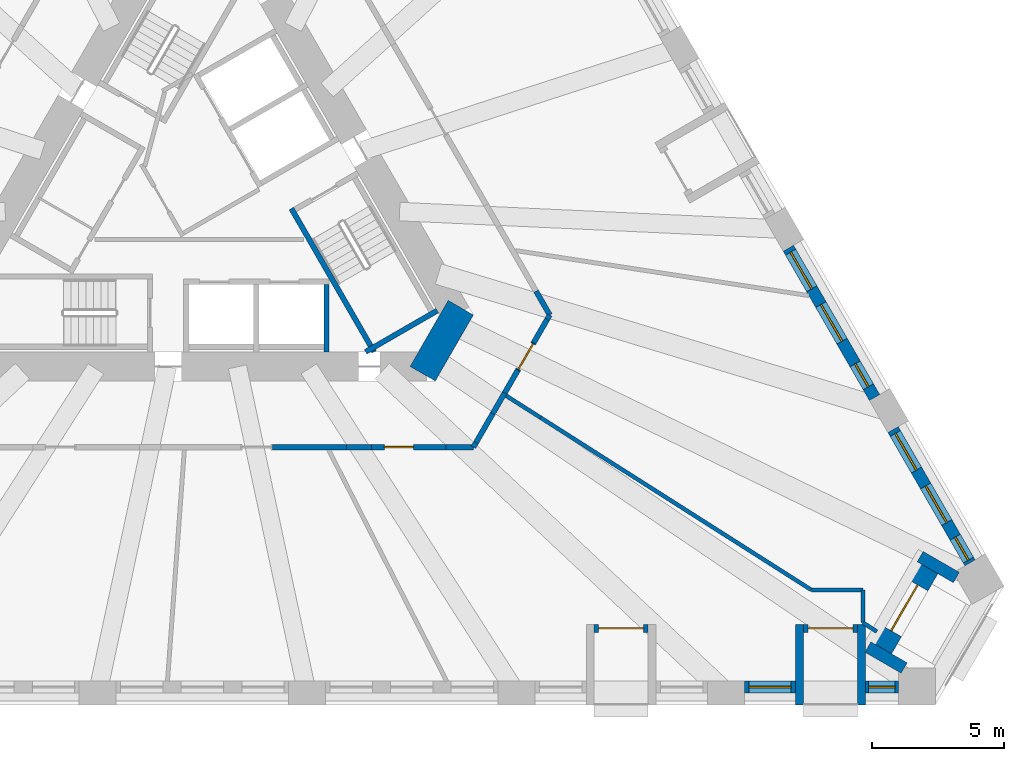
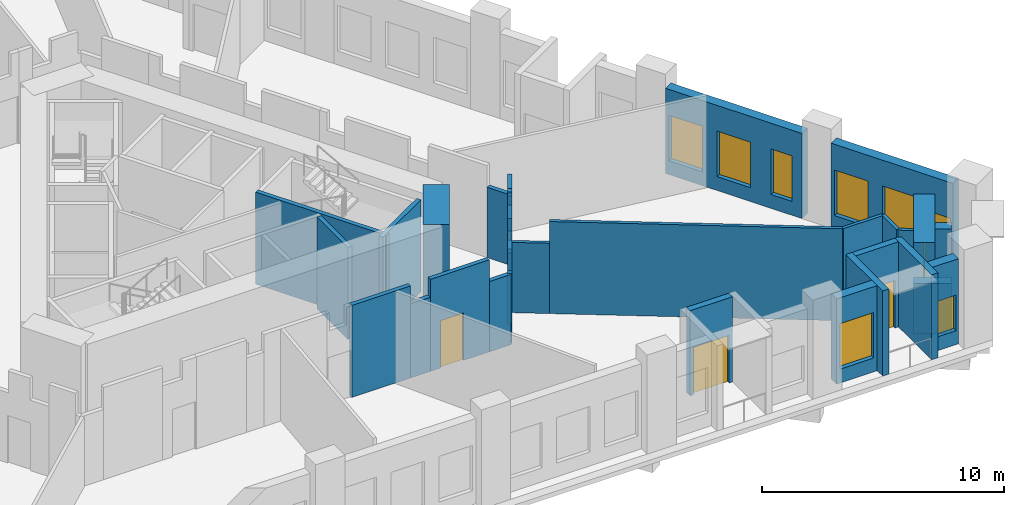
# One storey, part 5 of 12: 32 walls, 8 windows, 5 doors, 13 openings.
"""IFC4 building model written with IfcOpenShell, lengths in metres."""

from ifc_helpers import new_model, si_unit, direction, frame, frame_2d, origin, place, context, subcontext, project, spatial, polyline, rectangle, outline, extrude, material, layer, layer_set, type_object, element, fill, save


model = new_model("IFC4")

# Units and contexts
model_context = context("Model", 3, precision=1e-05, world=origin(), true_north=direction((0.0, 1.0)))
body_context = subcontext(model_context, "Body", "Model", "MODEL_VIEW")
ifc_project = project(units=[si_unit("LENGTHUNIT", "METRE"), si_unit("AREAUNIT", "SQUARE_METRE"), si_unit("VOLUMEUNIT", "CUBIC_METRE"), si_unit("PLANEANGLEUNIT", "RADIAN"), si_unit("MASSUNIT", "GRAM", prefix="KILO")], contexts=[model_context])

# Site, building, storey
site_placement = place(None, origin())
site = spatial("IfcSite", under=ifc_project, at=site_placement, CompositionType="ELEMENT")
building_placement = place(site_placement, origin())
building = spatial("IfcBuilding", under=site, at=building_placement, Name="Tramontana Tower", CompositionType="ELEMENT")
storey_placement = place(building_placement, frame((0.0, 0.0, 25.0)))
storey = spatial("IfcBuildingStorey", under=building, at=storey_placement, Name="L04", CompositionType="ELEMENT", Elevation=25.0)

# Walls
ifc_material_1 = material(Name="Concrete 70 MPa", Category="concrete")
ifc_layer_1 = layer(ifc_material_1, 1.10009765625)
ifc_layer_set_1 = layer_set([ifc_layer_1], Name="Core wall 1100 70 MPa")
wall_type_1 = type_object("IfcWallType", Name="Core wall 1100 70 MPa", PredefinedType="SHEAR", material=ifc_layer_set_1)
wall_1_placement = place(storey_placement, frame((8.328369140625, -6.47509765625, 0.0), z_axis=(0.0, 0.0, 1.0), x_axis=(0.499995765644, 0.866027848477, 0.0)))
element("IfcWall", 1, at=wall_1_placement, inside=storey, type_object=wall_type_1, Name="Core wall C4 L04", PredefinedType="SHEAR", context=body_context, shape_type="SweptSolid", body=[
    extrude(rectangle(XDim=2.88671875, YDim=1.10009765625, at=frame_2d((1.443359375, 0.0))), origin(), (0.0, 0.0, 1.0), 5.0),
])
ifc_material_2 = material(Name="Blockwork", Category="masonry")
ifc_layer_2 = layer(ifc_material_2, 0.199951171875)
ifc_layer_set_2 = layer_set([ifc_layer_2], Name="ENTRY WALL 200")
wall_type_2 = type_object("IfcWallType", Name="ENTRY WALL 200", PredefinedType="SOLIDWALL", material=ifc_layer_set_2)
wall_2_placement = place(storey_placement, frame((12.616943359375, -3.353515625, 0.0), z_axis=(0.0, 0.0, 1.0), x_axis=(0.500171514983, -0.865926356915, 0.0)))
element("IfcWall", 2, at=wall_2_placement, inside=storey, type_object=wall_type_2, Name="Wall ew0-10", PredefinedType="SOLIDWALL", context=body_context, shape_type="SweptSolid", body=[
    extrude(rectangle(XDim=1.035400390625, YDim=0.199951171875, at=frame_2d((0.517578125, 0.0))), origin(), (0.0, 0.0, 1.0), 3.550048828125),
])
wall_3_placement = place(storey_placement, frame((13.134765625, -4.25, 0.0), z_axis=(0.0, 0.0, 1.0), x_axis=(-0.499865263774, -0.866103179807, 0.0)))
element("IfcWall", 3, at=wall_3_placement, inside=storey, type_object=wall_type_2, Name="Wall ew1-0", PredefinedType="SOLIDWALL", context=body_context, shape_type="SweptSolid", body=[
    extrude(rectangle(XDim=0.197265625, YDim=0.199951171875, at=frame_2d((0.0986328125, 0.0))), origin(), (0.0, 0.0, 1.0), 3.550048828125),
])
wall_4_placement = place(storey_placement, frame((13.0361328125, -4.4208984375, 0.0), z_axis=(0.0, 0.0, 1.0), x_axis=(-0.50015786783, -0.865934239563, 0.0)))
element("IfcWall", 4, at=wall_4_placement, inside=storey, type_object=wall_type_2, Name="Wall ew1-1", PredefinedType="SOLIDWALL", context=body_context, shape_type="SweptSolid", body=[
    extrude(rectangle(XDim=1.019287109375, YDim=0.199951171875, at=frame_2d((0.509765625, 0.0))), origin(), (0.0, 0.0, 1.0), 4.64990234375),
])

# Wall, opening, door
wall_5_placement = place(storey_placement, frame((12.5263671875, -5.303466796875, 0.0), z_axis=(0.0, 0.0, 1.0), x_axis=(-0.499880961361, -0.866094119867, 0.0)))
wall_5 = element("IfcWall", 5, at=wall_5_placement, inside=storey, type_object=wall_type_2, Name="Wall ew1-2", PredefinedType="SOLIDWALL", context=body_context, shape_type="SweptSolid", body=[
    extrude(outline(polyline([(0.0, 0.0), (1.199951171875, 0.0), (1.199951171875, 3.550048828125), (0.24755859375, 3.550048828125), (0.24755859375, 4.64990234375), (0.0, 4.64990234375), (0.0, 0.0)])), frame((0.0, 0.10009765625, 0.0), z_axis=(0.0, -1.0, 0.0), x_axis=(1.0, 0.0, 0.0)), (0.0, 0.0, 1.0), 0.199951171875),
])
opening_1_placement = place(wall_5_placement, frame((0.050048828125, 0.0, 0.0)))
opening_1 = element("IfcOpeningElement", 6, at=opening_1_placement, cuts=wall_5, Name="Opening L04-06", PredefinedType="OPENING", context=body_context, shape_type="SweptSolid", body=[
    extrude(rectangle(XDim=1.10009765625, YDim=2.39990234375, at=frame_2d((0.550048828125, 1.199951171875))), frame((0.0, 0.10986328125, 0.0), z_axis=(0.0, -1.0, 0.0), x_axis=(1.0, 0.0, 0.0)), (0.0, 0.0, 1.0), 0.219970703125),
])
ifc_material_3 = material(Name="Painted timber", Category="wood")
door_type_1 = type_object("IfcDoorType", Name="DOOR ENTRY 1100", OperationType="SINGLE_SWING_LEFT", PredefinedType="DOOR", material=ifc_material_3)
door_1_placement = place(opening_1_placement, origin())
door_1 = element("IfcDoor", 7, at=door_1_placement, inside=storey, type_object=door_type_1, Name="Door L04-06", OperationType="SINGLE_SWING_RIGHT", OverallHeight=2.39990234375, OverallWidth=1.10009765625, PredefinedType="DOOR", context=body_context, shape_type="SweptSolid", body=[
    extrude(rectangle(XDim=1.10009765625, YDim=2.39990234375, at=frame_2d((0.550048828125, 1.199951171875))), frame((0.0, 0.02490234375, 0.0), z_axis=(0.0, -1.0, 0.0), x_axis=(1.0, 0.0, 0.0)), (0.0, 0.0, 1.0), 0.050048828125),
])
fill(opening_1, door_1)

# Walls
wall_6_placement = place(storey_placement, frame((11.926513671875, -6.3427734375, 0.0), z_axis=(0.0, 0.0, 1.0), x_axis=(-0.500035331196, -0.866005004348, 0.0)))
element("IfcWall", 8, at=wall_6_placement, inside=storey, type_object=wall_type_2, Name="Wall ew1-3", PredefinedType="SOLIDWALL", context=body_context, shape_type="SweptSolid", body=[
    extrude(rectangle(XDim=0.99072265625, YDim=0.199951171875, at=frame_2d((0.495361328125, 0.0))), origin(), (0.0, 0.0, 1.0), 4.64990234375),
])
wall_7_placement = place(storey_placement, frame((11.43115234375, -7.20068359375, 0.0), z_axis=(0.0, 0.0, 1.0), x_axis=(-0.500097243556, -0.865969252911, 0.0)))
element("IfcWall", 9, at=wall_7_placement, inside=storey, type_object=wall_type_2, Name="Wall ew1-4", PredefinedType="SOLIDWALL", context=body_context, shape_type="SweptSolid", body=[
    extrude(rectangle(XDim=0.902099609375, YDim=0.199951171875, at=frame_2d((0.451171875, 0.0))), origin(), (0.0, 0.0, 1.0), 3.550048828125),
])
wall_8_placement = place(storey_placement, frame((10.97998046875, -7.98193359375, 0.0), z_axis=(0.0, 0.0, 1.0), x_axis=(-0.499911523785, -0.866076479525, 0.0)))
element("IfcWall", 10, at=wall_8_placement, inside=storey, type_object=wall_type_2, Name="Wall ew1-5", PredefinedType="SOLIDWALL", context=body_context, shape_type="SweptSolid", body=[
    extrude(rectangle(XDim=1.266845703125, YDim=0.199951171875, at=frame_2d((0.63330078125, 0.0))), origin(), (0.0, 0.0, 1.0), 4.64990234375),
])
wall_9_placement = place(storey_placement, frame((10.3466796875, -9.0791015625, 0.0), z_axis=(0.0, 0.0, 1.0), x_axis=(-0.499865263774, -0.866103179807, 0.0)))
element("IfcWall", 11, at=wall_9_placement, inside=storey, type_object=wall_type_2, Name="Wall ew1-6", PredefinedType="SOLIDWALL", context=body_context, shape_type="SweptSolid", body=[
    extrude(rectangle(XDim=0.197265625, YDim=0.199951171875, at=frame_2d((0.0986328125, 0.0))), origin(), (0.0, 0.0, 1.0), 3.550048828125),
])
wall_10_placement = place(storey_placement, frame((10.248046875, -9.25, 0.0), z_axis=(0.0, 0.0, 1.0), x_axis=(-1.0, 0.0, 0.0)))
element("IfcWall", 12, at=wall_10_placement, inside=storey, type_object=wall_type_2, Name="Wall ew2-0", PredefinedType="SOLIDWALL", context=body_context, shape_type="SweptSolid", body=[
    extrude(rectangle(XDim=1.035400390625, YDim=0.199951171875, at=frame_2d((0.517578125, 0.0))), origin(), (0.0, 0.0, 1.0), 3.550048828125),
])

# Wall, opening, door
wall_11_placement = place(storey_placement, frame((9.212646484375, -9.25, 0.0), z_axis=(0.0, 0.0, 1.0), x_axis=(-1.0, 0.0, 0.0)))
wall_11 = element("IfcWall", 13, at=wall_11_placement, inside=storey, type_object=wall_type_2, Name="Wall ew2-1", PredefinedType="SOLIDWALL", context=body_context, shape_type="SweptSolid", body=[
    extrude(rectangle(XDim=2.815185546875, YDim=0.199951171875, at=frame_2d((1.40771484375, 0.0))), origin(), (0.0, 0.0, 1.0), 4.64990234375),
])
opening_2_placement = place(wall_11_placement, frame((1.2333984375, 0.0, 0.0)))
opening_2 = element("IfcOpeningElement", 14, at=opening_2_placement, cuts=wall_11, Name="Opening L04-05", PredefinedType="OPENING", context=body_context, shape_type="SweptSolid", body=[
    extrude(rectangle(XDim=1.10009765625, YDim=2.39990234375, at=frame_2d((0.550048828125, 1.199951171875))), frame((0.0, 0.10986328125, 0.0), z_axis=(0.0, -1.0, 0.0), x_axis=(1.0, 0.0, 0.0)), (0.0, 0.0, 1.0), 0.219970703125),
])
door_2_placement = place(opening_2_placement, origin())
door_2 = element("IfcDoor", 15, at=door_2_placement, inside=storey, type_object=door_type_1, Name="Door L04-05", OperationType="SINGLE_SWING_LEFT", OverallHeight=2.39990234375, OverallWidth=1.10009765625, PredefinedType="DOOR", context=body_context, shape_type="SweptSolid", body=[
    extrude(rectangle(XDim=1.10009765625, YDim=2.39990234375, at=frame_2d((0.550048828125, 1.199951171875))), frame((0.0, 0.02490234375, 0.0), z_axis=(0.0, -1.0, 0.0), x_axis=(1.0, 0.0, 0.0)), (0.0, 0.0, 1.0), 0.050048828125),
])
fill(opening_2, door_2)

# Walls
wall_12_placement = place(storey_placement, frame((6.3974609375, -9.25, 0.0), z_axis=(0.0, 0.0, 1.0), x_axis=(-1.0, 0.0, 0.0)))
element("IfcWall", 16, at=wall_12_placement, inside=storey, type_object=wall_type_2, Name="Wall ew2-2", PredefinedType="SOLIDWALL", context=body_context, shape_type="SweptSolid", body=[
    extrude(rectangle(XDim=0.949951171875, YDim=0.199951171875, at=frame_2d((0.47509765625, 0.0))), origin(), (0.0, 0.0, 1.0), 3.75),
])
wall_13_placement = place(storey_placement, frame((5.447509765625, -9.25, 0.0), z_axis=(0.0, 0.0, 1.0), x_axis=(-1.0, 0.0, 0.0)))
element("IfcWall", 17, at=wall_13_placement, inside=storey, type_object=wall_type_2, Name="Wall ew2-3", PredefinedType="SOLIDWALL", context=body_context, shape_type="SweptSolid", body=[
    extrude(rectangle(XDim=2.802490234375, YDim=0.199951171875, at=frame_2d((1.4013671875, 0.0))), origin(), (0.0, 0.0, 1.0), 4.64990234375),
])

# Wall, opening, window
ifc_material_4 = material(Name="Precast concrete 60 MPa", Category="concrete")
ifc_layer_3 = layer(ifc_material_4, 0.449951171875)
ifc_layer_set_3 = layer_set([ifc_layer_3], Name="Precast concrete 60 MPa, 450 mm")
wall_type_3 = type_object("IfcWallType", Name="EW1 Stone-faced precast wall 450", PredefinedType="SOLIDWALL", material=ifc_layer_set_3)
wall_14_placement = place(storey_placement, frame((20.494873046875, -18.324951171875, 0.0), z_axis=(0.0, 0.0, 1.0), x_axis=(1.0, 0.0, 0.0)))
wall_14 = element("IfcWall", 18, at=wall_14_placement, inside=storey, type_object=wall_type_3, Name="External wall L04 face 1 bay 7", PredefinedType="SOLIDWALL", context=body_context, shape_type="SweptSolid", body=[
    extrude(rectangle(XDim=1.939208984375, YDim=0.449951171875, at=frame_2d((0.9697265625, 0.0))), origin(), (0.0, 0.0, 1.0), 4.300048828125),
])
opening_3_placement = place(wall_14_placement, frame((0.169677734375, 0.0, 0.699951171875)))
opening_3 = element("IfcOpeningElement", 19, at=opening_3_placement, cuts=wall_14, Name="Opening M1", PredefinedType="OPENING", context=body_context, shape_type="SweptSolid", body=[
    extrude(rectangle(XDim=1.60009765625, YDim=2.300048828125, at=frame_2d((0.800048828125, 1.14990234375))), frame((0.0, 0.23486328125, 0.0), z_axis=(0.0, -1.0, 0.0), x_axis=(1.0, 0.0, 0.0)), (0.0, 0.0, 1.0), 0.469970703125),
])
ifc_material_5 = material(Name="Aluminum frame, double glazing unit", Category="aluminium")
window_type_1 = type_object("IfcWindowType", Name="M1 Window 1.6 x 2.3", PartitioningType="SINGLE_PANEL", PredefinedType="WINDOW", material=ifc_material_5)
window_1_placement = place(opening_3_placement, origin())
window_1 = element("IfcWindow", 20, at=window_1_placement, inside=storey, type_object=window_type_1, Name="Window M1 L04 face 1 module 19", OverallHeight=2.300048828125, OverallWidth=1.60009765625, PartitioningType="SINGLE_PANEL", PredefinedType="WINDOW", context=body_context, shape_type="SweptSolid", body=[
    extrude(rectangle(XDim=1.60009765625, YDim=2.300048828125, at=frame_2d((0.800048828125, 1.14990234375))), frame((0.0, 0.030029296875, 0.0), z_axis=(0.0, -1.0, 0.0), x_axis=(1.0, 0.0, 0.0)), (0.0, 0.0, 1.0), 0.06005859375),
])
fill(opening_3, window_1)

wall_15_placement = place(storey_placement, frame((25.073486328125, -18.324951171875, 0.0), z_axis=(0.0, 0.0, 1.0), x_axis=(1.0, 0.0, 0.0)))
wall_15 = element("IfcWall", 21, at=wall_15_placement, inside=storey, type_object=wall_type_3, Name="External wall L04 face 1 bay 7", PredefinedType="SOLIDWALL", context=body_context, shape_type="SweptSolid", body=[
    extrude(rectangle(XDim=1.2392578125, YDim=0.449951171875, at=frame_2d((0.61962890625, 0.0))), origin(), (0.0, 0.0, 1.0), 4.300048828125),
])
opening_4_placement = place(wall_15_placement, frame((0.11962890625, 0.0, 0.699951171875)))
opening_4 = element("IfcOpeningElement", 22, at=opening_4_placement, cuts=wall_15, Name="Opening N1L", PredefinedType="OPENING", context=body_context, shape_type="SweptSolid", body=[
    extrude(rectangle(XDim=1.0, YDim=1.800048828125, at=frame_2d((0.5, 0.89990234375))), frame((0.0, 0.23486328125, 0.0), z_axis=(0.0, -1.0, 0.0), x_axis=(1.0, 0.0, 0.0)), (0.0, 0.0, 1.0), 0.469970703125),
])
ifc_material_6 = material(Name="Aluminum frame, double glazing unit", Category="aluminium")
window_type_2 = type_object("IfcWindowType", Name="N1L Window 1 x 1.8", PartitioningType="SINGLE_PANEL", PredefinedType="WINDOW", material=ifc_material_6)
window_2_placement = place(opening_4_placement, origin())
window_2 = element("IfcWindow", 23, at=window_2_placement, inside=storey, type_object=window_type_2, Name="Window N1L L04 face 1 module 21", OverallHeight=1.800048828125, OverallWidth=1.0, PartitioningType="SINGLE_PANEL", PredefinedType="WINDOW", context=body_context, shape_type="SweptSolid", body=[
    extrude(rectangle(XDim=1.0, YDim=1.800048828125, at=frame_2d((0.5, 0.89990234375))), frame((0.0, 0.030029296875, 0.0), z_axis=(0.0, -1.0, 0.0), x_axis=(1.0, 0.0, 0.0)), (0.0, 0.0, 1.0), 0.06005859375),
])
fill(opening_4, window_2)

# Wall, openings, windows
wall_16_placement = place(storey_placement, frame((29.0263671875, -13.625, 0.0), z_axis=(0.0, 0.0, 1.0), x_axis=(-0.500007002644, 0.866021360769, 0.0)))
wall_16 = element("IfcWall", 24, at=wall_16_placement, inside=storey, type_object=wall_type_3, Name="External wall L04 face 2 bay 1", PredefinedType="SOLIDWALL", context=body_context, shape_type="SweptSolid", body=[
    extrude(rectangle(XDim=5.81787109375, YDim=0.449951171875, at=frame_2d((2.908935546875, 0.0))), origin(), (0.0, 0.0, 1.0), 4.300048828125),
])
opening_5_placement = place(wall_16_placement, frame((0.11962890625, 0.0, 0.699951171875)))
opening_5 = element("IfcOpeningElement", 25, at=opening_5_placement, cuts=wall_16, Name="Opening N1L", PredefinedType="OPENING", context=body_context, shape_type="SweptSolid", body=[
    extrude(rectangle(XDim=1.0, YDim=1.800048828125, at=frame_2d((0.5, 0.89990234375))), frame((0.0, 0.23486328125, 0.0), z_axis=(0.0, -1.0, 0.0), x_axis=(1.0, 0.0, 0.0)), (0.0, 0.0, 1.0), 0.469970703125),
])
opening_6_placement = place(wall_16_placement, frame((1.759033203125, 0.0, 0.699951171875)))
opening_6 = element("IfcOpeningElement", 26, at=opening_6_placement, cuts=wall_16, Name="Opening M1", PredefinedType="OPENING", context=body_context, shape_type="SweptSolid", body=[
    extrude(rectangle(XDim=1.60009765625, YDim=2.300048828125, at=frame_2d((0.800048828125, 1.14990234375))), frame((0.0, 0.23486328125, 0.0), z_axis=(0.0, -1.0, 0.0), x_axis=(1.0, 0.0, 0.0)), (0.0, 0.0, 1.0), 0.469970703125),
])
opening_7_placement = place(wall_16_placement, frame((4.04833984375, 0.0, 0.699951171875)))
opening_7 = element("IfcOpeningElement", 27, at=opening_7_placement, cuts=wall_16, Name="Opening M1", PredefinedType="OPENING", context=body_context, shape_type="SweptSolid", body=[
    extrude(rectangle(XDim=1.60009765625, YDim=2.300048828125, at=frame_2d((0.800048828125, 1.14990234375))), frame((0.0, 0.23486328125, 0.0), z_axis=(0.0, -1.0, 0.0), x_axis=(1.0, 0.0, 0.0)), (0.0, 0.0, 1.0), 0.469970703125),
])
window_3_placement = place(opening_6_placement, origin())
window_3 = element("IfcWindow", 28, at=window_3_placement, inside=storey, type_object=window_type_1, Name="Window M1 L04 face 2 module 2", OverallHeight=2.300048828125, OverallWidth=1.60009765625, PartitioningType="SINGLE_PANEL", PredefinedType="WINDOW", context=body_context, shape_type="SweptSolid", body=[
    extrude(rectangle(XDim=1.60009765625, YDim=2.300048828125, at=frame_2d((0.800048828125, 1.14990234375))), frame((0.0, 0.030029296875, 0.0), z_axis=(0.0, -1.0, 0.0), x_axis=(1.0, 0.0, 0.0)), (0.0, 0.0, 1.0), 0.06005859375),
])
fill(opening_6, window_3)
window_4_placement = place(opening_7_placement, origin())
window_4 = element("IfcWindow", 29, at=window_4_placement, inside=storey, type_object=window_type_1, Name="Window M1 L04 face 2 module 3", OverallHeight=2.300048828125, OverallWidth=1.60009765625, PartitioningType="SINGLE_PANEL", PredefinedType="WINDOW", context=body_context, shape_type="SweptSolid", body=[
    extrude(rectangle(XDim=1.60009765625, YDim=2.300048828125, at=frame_2d((0.800048828125, 1.14990234375))), frame((0.0, 0.030029296875, 0.0), z_axis=(0.0, -1.0, 0.0), x_axis=(1.0, 0.0, 0.0)), (0.0, 0.0, 1.0), 0.06005859375),
])
fill(opening_7, window_4)
window_5_placement = place(opening_5_placement, origin())
window_5 = element("IfcWindow", 30, at=window_5_placement, inside=storey, type_object=window_type_2, Name="Window N1L L04 face 2 module 1", OverallHeight=1.800048828125, OverallWidth=1.0, PartitioningType="SINGLE_PANEL", PredefinedType="WINDOW", context=body_context, shape_type="SweptSolid", body=[
    extrude(rectangle(XDim=1.0, YDim=1.800048828125, at=frame_2d((0.5, 0.89990234375))), frame((0.0, 0.030029296875, 0.0), z_axis=(0.0, -1.0, 0.0), x_axis=(1.0, 0.0, 0.0)), (0.0, 0.0, 1.0), 0.06005859375),
])
fill(opening_5, window_5)

wall_17_placement = place(storey_placement, frame((25.417236328125, -7.3740234375, 0.0), z_axis=(0.0, 0.0, 1.0), x_axis=(-0.499990498062, 0.866030889661, 0.0)))
wall_17 = element("IfcWall", 31, at=wall_17_placement, inside=storey, type_object=wall_type_3, Name="External wall L04 face 2 bay 2", PredefinedType="SOLIDWALL", context=body_context, shape_type="SweptSolid", body=[
    extrude(rectangle(XDim=6.517822265625, YDim=0.449951171875, at=frame_2d((3.2587890625, 0.0))), origin(), (0.0, 0.0, 1.0), 4.300048828125),
])
opening_8_placement = place(wall_17_placement, frame((0.4697265625, 0.0, 0.699951171875)))
opening_8 = element("IfcOpeningElement", 32, at=opening_8_placement, cuts=wall_17, Name="Opening N1", PredefinedType="OPENING", context=body_context, shape_type="SweptSolid", body=[
    extrude(rectangle(XDim=1.0, YDim=2.300048828125, at=frame_2d((0.5, 1.14990234375))), frame((0.0, 0.23486328125, 0.0), z_axis=(0.0, -1.0, 0.0), x_axis=(1.0, 0.0, 0.0)), (0.0, 0.0, 1.0), 0.469970703125),
])
opening_9_placement = place(wall_17_placement, frame((2.458984375, 0.0, 0.699951171875)))
opening_9 = element("IfcOpeningElement", 33, at=opening_9_placement, cuts=wall_17, Name="Opening M1", PredefinedType="OPENING", context=body_context, shape_type="SweptSolid", body=[
    extrude(rectangle(XDim=1.60009765625, YDim=2.300048828125, at=frame_2d((0.800048828125, 1.14990234375))), frame((0.0, 0.23486328125, 0.0), z_axis=(0.0, -1.0, 0.0), x_axis=(1.0, 0.0, 0.0)), (0.0, 0.0, 1.0), 0.469970703125),
])
opening_10_placement = place(wall_17_placement, frame((4.748291015625, 0.0, 0.699951171875)))
opening_10 = element("IfcOpeningElement", 34, at=opening_10_placement, cuts=wall_17, Name="Opening M1", PredefinedType="OPENING", context=body_context, shape_type="SweptSolid", body=[
    extrude(rectangle(XDim=1.60009765625, YDim=2.300048828125, at=frame_2d((0.800048828125, 1.14990234375))), frame((0.0, 0.23486328125, 0.0), z_axis=(0.0, -1.0, 0.0), x_axis=(1.0, 0.0, 0.0)), (0.0, 0.0, 1.0), 0.469970703125),
])
window_6_placement = place(opening_9_placement, origin())
window_6 = element("IfcWindow", 35, at=window_6_placement, inside=storey, type_object=window_type_1, Name="Window M1 L04 face 2 module 5", OverallHeight=2.300048828125, OverallWidth=1.60009765625, PartitioningType="SINGLE_PANEL", PredefinedType="WINDOW", context=body_context, shape_type="SweptSolid", body=[
    extrude(rectangle(XDim=1.60009765625, YDim=2.300048828125, at=frame_2d((0.800048828125, 1.14990234375))), frame((0.0, 0.030029296875, 0.0), z_axis=(0.0, -1.0, 0.0), x_axis=(1.0, 0.0, 0.0)), (0.0, 0.0, 1.0), 0.06005859375),
])
fill(opening_9, window_6)
window_7_placement = place(opening_10_placement, origin())
window_7 = element("IfcWindow", 36, at=window_7_placement, inside=storey, type_object=window_type_1, Name="Window M1 L04 face 2 module 6", OverallHeight=2.300048828125, OverallWidth=1.60009765625, PartitioningType="SINGLE_PANEL", PredefinedType="WINDOW", context=body_context, shape_type="SweptSolid", body=[
    extrude(rectangle(XDim=1.60009765625, YDim=2.300048828125, at=frame_2d((0.800048828125, 1.14990234375))), frame((0.0, 0.030029296875, 0.0), z_axis=(0.0, -1.0, 0.0), x_axis=(1.0, 0.0, 0.0)), (0.0, 0.0, 1.0), 0.06005859375),
])
fill(opening_10, window_7)
ifc_material_7 = material(Name="Aluminum frame, double glazing unit", Category="aluminium")
window_type_3 = type_object("IfcWindowType", Name="N1 Window 1 x 2.3", PartitioningType="SINGLE_PANEL", PredefinedType="WINDOW", material=ifc_material_7)
window_8_placement = place(opening_8_placement, origin())
window_8 = element("IfcWindow", 37, at=window_8_placement, inside=storey, type_object=window_type_3, Name="Window N1 L04 face 2 module 4", OverallHeight=2.300048828125, OverallWidth=1.0, PartitioningType="SINGLE_PANEL", PredefinedType="WINDOW", context=body_context, shape_type="SweptSolid", body=[
    extrude(rectangle(XDim=1.0, YDim=2.300048828125, at=frame_2d((0.5, 1.14990234375))), frame((0.0, 0.030029296875, 0.0), z_axis=(0.0, -1.0, 0.0), x_axis=(1.0, 0.0, 0.0)), (0.0, 0.0, 1.0), 0.06005859375),
])
fill(opening_8, window_8)

# Walls
wall_18_placement = place(storey_placement, frame((28.509033203125, -14.17919921875, 0.0), z_axis=(0.0, 0.0, 1.0), x_axis=(-0.866046570609, 0.499963336192, 0.0)))
element("IfcWall", 38, at=wall_18_placement, inside=storey, type_object=wall_type_3, Name="Corner loggia side wall L04 K02l", PredefinedType="SOLIDWALL", context=body_context, shape_type="SweptSolid", body=[
    extrude(rectangle(XDim=1.5791015625, YDim=0.449951171875, at=frame_2d((0.78955078125, 0.0))), origin(), (0.0, 0.0, 1.0), 2.550048828125),
])
wall_19_placement = place(storey_placement, frame((26.5341796875, -17.60009765625, 0.0), z_axis=(0.0, 0.0, 1.0), x_axis=(-0.86597962928, 0.500079275387, 0.0)))
element("IfcWall", 39, at=wall_19_placement, inside=storey, type_object=wall_type_3, Name="Corner loggia side wall L04 K02r", PredefinedType="SOLIDWALL", context=body_context, shape_type="SweptSolid", body=[
    extrude(rectangle(XDim=1.579345703125, YDim=0.449951171875, at=frame_2d((0.78955078125, 0.0))), origin(), (0.0, 0.0, 1.0), 2.550048828125),
])

# Wall, opening, door
ifc_material_8 = material(Name="Precast concrete 60 MPa", Category="concrete")
ifc_layer_4 = layer(ifc_material_8, 0.89990234375)
ifc_layer_set_4 = layer_set([ifc_layer_4], Name="EW2 Stone-faced corner loggia wall 900")
wall_type_4 = type_object("IfcWallType", Name="EW2 Stone-faced corner loggia wall 900", PredefinedType="SOLIDWALL", material=ifc_layer_set_4)
wall_20_placement = place(storey_placement, frame((27.418701171875, -13.8095703125, 0.0), z_axis=(0.0, 0.0, 1.0), x_axis=(-0.500010275428, -0.866019471182, 0.0)))
wall_20 = element("IfcWall", 40, at=wall_20_placement, inside=storey, type_object=wall_type_4, Name="Corner loggia wall L04 K02", PredefinedType="SOLIDWALL", context=body_context, shape_type="SweptSolid", body=[
    extrude(rectangle(XDim=3.5, YDim=0.89990234375, at=frame_2d((1.75, 0.0))), origin(), (0.0, 0.0, 1.0), 4.300048828125),
])
opening_11_placement = place(wall_20_placement, frame((0.75, 0.0, 0.0)))
opening_11 = element("IfcOpeningElement", 41, at=opening_11_placement, cuts=wall_20, Name="Opening BD-02C", PredefinedType="OPENING", context=body_context, shape_type="SweptSolid", body=[
    extrude(rectangle(XDim=2.0, YDim=2.39990234375, at=frame_2d((1.0, 1.199951171875))), frame((0.0, 0.4599609375, 0.0), z_axis=(0.0, -1.0, 0.0), x_axis=(1.0, 0.0, 0.0)), (0.0, 0.0, 1.0), 0.919921875),
])
ifc_material_9 = material(Name="Aluminum frame, double glazing unit", Category="aluminium")
door_type_2 = type_object("IfcDoorType", Name="BC1 Sliding door 2 x 2.4", OperationType="SLIDING_TO_LEFT", PredefinedType="DOOR", material=ifc_material_9)
door_3_placement = place(opening_11_placement, origin())
door_3 = element("IfcDoor", 42, at=door_3_placement, inside=storey, type_object=door_type_2, Name="Corner loggia door L04 K02", OperationType="SLIDING_TO_LEFT", OverallHeight=2.39990234375, OverallWidth=2.0, PredefinedType="DOOR", context=body_context, shape_type="SweptSolid", body=[
    extrude(rectangle(XDim=2.0, YDim=2.39990234375, at=frame_2d((1.0, 1.199951171875))), frame((0.0, 0.02490234375, 0.0), z_axis=(0.0, -1.0, 0.0), x_axis=(1.0, 0.0, 0.0)), (0.0, 0.0, 1.0), 0.050048828125),
])
fill(opening_11, door_3)

ifc_material_10 = material(Name="Precast concrete 60 MPa", Category="concrete")
ifc_layer_5 = layer(ifc_material_10, 0.300048828125)
ifc_layer_set_5 = layer_set([ifc_layer_5], Name="LW1 Stone-faced loggia wall 300")
wall_type_5 = type_object("IfcWallType", Name="LW1 Stone-faced loggia wall 300", PredefinedType="SOLIDWALL", material=ifc_layer_set_5)
wall_21_placement = place(storey_placement, frame((14.816162109375, -16.10009765625, 0.0), z_axis=(0.0, 0.0, 1.0), x_axis=(1.0, 0.0, 0.0)))
wall_21 = element("IfcWall", 43, at=wall_21_placement, inside=storey, type_object=wall_type_5, Name="Loggia wall L04 G0S1.16", PredefinedType="SOLIDWALL", context=body_context, shape_type="SweptSolid", body=[
    extrude(rectangle(XDim=2.039306640625, YDim=0.300048828125, at=frame_2d((1.01953125, 0.0))), origin(), (0.0, 0.0, 1.0), 4.300048828125),
])
opening_12_placement = place(wall_21_placement, frame((0.169677734375, 0.0, 0.0)))
opening_12 = element("IfcOpeningElement", 44, at=opening_12_placement, cuts=wall_21, Name="Opening BD-0S1-16", PredefinedType="OPENING", context=body_context, shape_type="SweptSolid", body=[
    extrude(rectangle(XDim=1.699951171875, YDim=2.39990234375, at=frame_2d((0.85009765625, 1.199951171875))), frame((0.0, 0.159912109375, 0.0), z_axis=(0.0, -1.0, 0.0), x_axis=(1.0, 0.0, 0.0)), (0.0, 0.0, 1.0), 0.320068359375),
])
ifc_material_11 = material(Name="Aluminum frame, double glazing unit", Category="aluminium")
door_type_3 = type_object("IfcDoorType", Name="BD1 Sliding door 1.7 x 2.4", OperationType="SLIDING_TO_LEFT", PredefinedType="DOOR", material=ifc_material_11)
door_4_placement = place(opening_12_placement, origin())
door_4 = element("IfcDoor", 45, at=door_4_placement, inside=storey, type_object=door_type_3, Name="Loggia door L04 G0S1.16", OperationType="SLIDING_TO_LEFT", OverallHeight=2.39990234375, OverallWidth=1.699951171875, PredefinedType="DOOR", context=body_context, shape_type="SweptSolid", body=[
    extrude(rectangle(XDim=1.699951171875, YDim=2.39990234375, at=frame_2d((0.85009765625, 1.199951171875))), frame((0.0, 0.02490234375, 0.0), z_axis=(0.0, -1.0, 0.0), x_axis=(1.0, 0.0, 0.0)), (0.0, 0.0, 1.0), 0.050048828125),
])
fill(opening_12, door_4)

wall_22_placement = place(storey_placement, frame((22.734130859375, -16.10009765625, 0.0), z_axis=(0.0, 0.0, 1.0), x_axis=(1.0, 0.0, 0.0)))
wall_22 = element("IfcWall", 46, at=wall_22_placement, inside=storey, type_object=wall_type_5, Name="Loggia wall L04 G0S1.19", PredefinedType="SOLIDWALL", context=body_context, shape_type="SweptSolid", body=[
    extrude(rectangle(XDim=2.039306640625, YDim=0.300048828125, at=frame_2d((1.01953125, 0.0))), origin(), (0.0, 0.0, 1.0), 4.300048828125),
])
opening_13_placement = place(wall_22_placement, frame((0.169677734375, 0.0, 0.0)))
opening_13 = element("IfcOpeningElement", 47, at=opening_13_placement, cuts=wall_22, Name="Opening BD-0S1-19", PredefinedType="OPENING", context=body_context, shape_type="SweptSolid", body=[
    extrude(rectangle(XDim=1.699951171875, YDim=2.39990234375, at=frame_2d((0.85009765625, 1.199951171875))), frame((0.0, 0.159912109375, 0.0), z_axis=(0.0, -1.0, 0.0), x_axis=(1.0, 0.0, 0.0)), (0.0, 0.0, 1.0), 0.320068359375),
])
door_5_placement = place(opening_13_placement, origin())
door_5 = element("IfcDoor", 48, at=door_5_placement, inside=storey, type_object=door_type_3, Name="Loggia door L04 G0S1.19", OperationType="SLIDING_TO_LEFT", OverallHeight=2.39990234375, OverallWidth=1.699951171875, PredefinedType="DOOR", context=body_context, shape_type="SweptSolid", body=[
    extrude(rectangle(XDim=1.699951171875, YDim=2.39990234375, at=frame_2d((0.85009765625, 1.199951171875))), frame((0.0, 0.02490234375, 0.0), z_axis=(0.0, -1.0, 0.0), x_axis=(1.0, 0.0, 0.0)), (0.0, 0.0, 1.0), 0.050048828125),
])
fill(opening_13, door_5)

# Walls
for number, where, z_axis, x_axis, name in (
    (49, (22.584228515625, -19.0, 0.0), (0.0, 0.0, 1.0), (0.0, 1.0, 0.0), "Loggia return L04 G0S1.19a"),
    (50, (24.923583984375, -19.0, 0.0), (0.0, 0.0, 1.0), (0.0, 1.0, 0.0), "Loggia return L04 G0S1.19b"),
):
    element("IfcWall", number, at=place(storey_placement, frame(where, z_axis=z_axis, x_axis=x_axis)), inside=storey, type_object=wall_type_5, Name=name, PredefinedType="SOLIDWALL", context=body_context, shape_type="SweptSolid", body=[
        extrude(rectangle(XDim=3.050048828125, YDim=0.300048828125, at=frame_2d((1.52490234375, 0.0))), origin(), (0.0, 0.0, 1.0), 4.300048828125),
    ])
ifc_material_12 = material(Name="Gypsum board partition")
ifc_layer_6 = layer(ifc_material_12, 0.14990234375)
ifc_layer_set_6 = layer_set([ifc_layer_6], Name="PARTITION 150")
wall_type_6 = type_object("IfcWallType", Name="PARTITION 150", PredefinedType="PARTITIONING", material=ifc_layer_set_6)
wall_23_placement = place(storey_placement, frame((11.485595703125, -7.306396484375, 0.0), z_axis=(0.0, 0.0, 1.0), x_axis=(0.843765747326, -0.536711620556, 0.0)))
element("IfcWall", 51, at=wall_23_placement, inside=storey, type_object=wall_type_6, Name="Wall fw-pw11-0", PredefinedType="PARTITIONING", context=body_context, shape_type="SweptSolid", body=[
    extrude(rectangle(XDim=1.54248046875, YDim=0.14990234375, at=frame_2d((0.771240234375, 0.0))), origin(), (0.0, 0.0, 1.0), 3.550048828125),
])
wall_24_placement = place(storey_placement, frame((12.787109375, -8.13427734375, 0.0), z_axis=(0.0, 0.0, 1.0), x_axis=(0.84375008855, -0.536736236965, 0.0)))
element("IfcWall", 52, at=wall_24_placement, inside=storey, type_object=wall_type_6, Name="Wall fw-pw11-1", PredefinedType="PARTITIONING", context=body_context, shape_type="SweptSolid", body=[
    extrude(rectangle(XDim=12.138916015625, YDim=0.14990234375, at=frame_2d((6.0693359375, 0.0))), origin(), (0.0, 0.0, 1.0), 4.64990234375),
])
wall_25_placement = place(storey_placement, frame((23.030517578125, -14.64990234375, 0.0), z_axis=(0.0, 0.0, 1.0), x_axis=(1.0, 0.0, 0.0)))
element("IfcWall", 53, at=wall_25_placement, inside=storey, type_object=wall_type_6, Name="Wall fw-pw13", PredefinedType="PARTITIONING", context=body_context, shape_type="SweptSolid", body=[
    extrude(rectangle(XDim=1.94287109375, YDim=0.14990234375, at=frame_2d((0.971435546875, 0.0))), origin(), (0.0, 0.0, 1.0), 4.64990234375),
])
wall_26_placement = place(storey_placement, frame((24.973388671875, -14.650146484375, 0.0), z_axis=(0.0, 0.0, 1.0), x_axis=(0.0, -1.0, 0.0)))
element("IfcWall", 54, at=wall_26_placement, inside=storey, type_object=wall_type_6, Name="Wall fw-pw14", PredefinedType="PARTITIONING", context=body_context, shape_type="SweptSolid", body=[
    extrude(rectangle(XDim=1.235107421875, YDim=0.14990234375, at=frame_2d((0.61767578125, 0.0))), origin(), (0.0, 0.0, 1.0), 4.64990234375),
])
wall_27_placement = place(storey_placement, frame((24.974365234375, -15.886962890625, 0.0), z_axis=(0.0, 0.0, 1.0), x_axis=(0.843693475479, -0.536825222427, 0.0)))
element("IfcWall", 55, at=wall_27_placement, inside=storey, type_object=wall_type_6, Name="Wall fw-pw15", PredefinedType="PARTITIONING", context=body_context, shape_type="SweptSolid", body=[
    extrude(rectangle(XDim=0.62841796875, YDim=0.14990234375, at=frame_2d((0.314208984375, 0.0))), origin(), (0.0, 0.0, 1.0), 4.64990234375),
])
ifc_material_13 = material(Name="Concrete 70 MPa", Category="concrete")
ifc_layer_7 = layer(ifc_material_13, 0.199951171875)
ifc_layer_set_7 = layer_set([ifc_layer_7], Name="Concrete 70 MPa, 200 mm")
wall_type_7 = type_object("IfcWallType", Name="RC STAIR AND SHAFT WALL 200", PredefinedType="SOLIDWALL", material=ifc_layer_set_7)
wall_28_placement = place(storey_placement, frame((6.4951171875, -5.64990234375, 0.0), z_axis=(0.0, 0.0, 1.0), x_axis=(-0.499976754523, 0.866038824151, 0.0)))
element("IfcWall", 56, at=wall_28_placement, inside=storey, type_object=wall_type_7, Name="Wall st3-front", PredefinedType="SOLIDWALL", context=body_context, shape_type="SweptSolid", body=[
    extrude(rectangle(XDim=6.260498046875, YDim=0.199951171875, at=frame_2d((3.13037109375, 0.0))), origin(), (0.0, 0.0, 1.0), 4.64990234375),
])
wall_29_placement = place(storey_placement, frame((6.173828125, -5.64990234375, 0.0), z_axis=(0.0, 0.0, 1.0), x_axis=(0.866054327916, 0.499949898588, 0.0)))
element("IfcWall", 57, at=wall_29_placement, inside=storey, type_object=wall_type_7, Name="Wall st3-far", PredefinedType="SOLIDWALL", context=body_context, shape_type="SweptSolid", body=[
    extrude(rectangle(XDim=3.128173828125, YDim=0.199951171875, at=frame_2d((1.56396484375, 0.0))), origin(), (0.0, 0.0, 1.0), 4.64990234375),
])
wall_30_placement = place(storey_placement, frame((4.68994140625, -3.10009765625, 0.0), z_axis=(0.0, 0.0, 1.0), x_axis=(0.0, -1.0, 0.0)))
element("IfcWall", 58, at=wall_30_placement, inside=storey, type_object=wall_type_7, Name="Wall row1-side2", PredefinedType="SOLIDWALL", context=body_context, shape_type="SweptSolid", body=[
    extrude(rectangle(XDim=2.5498046875, YDim=0.199951171875, at=frame_2d((1.27490234375, 0.0))), origin(), (0.0, 0.0, 1.0), 4.64990234375),
])

save(model, "model.ifc")
